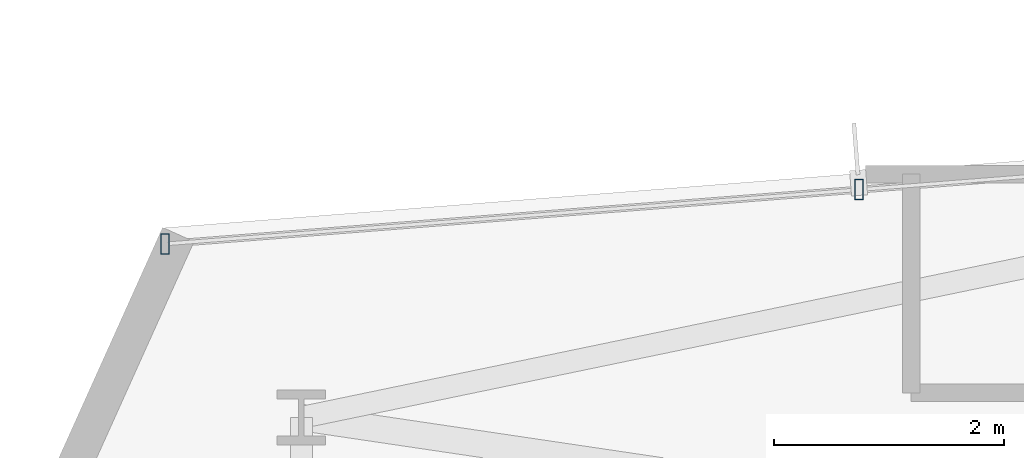
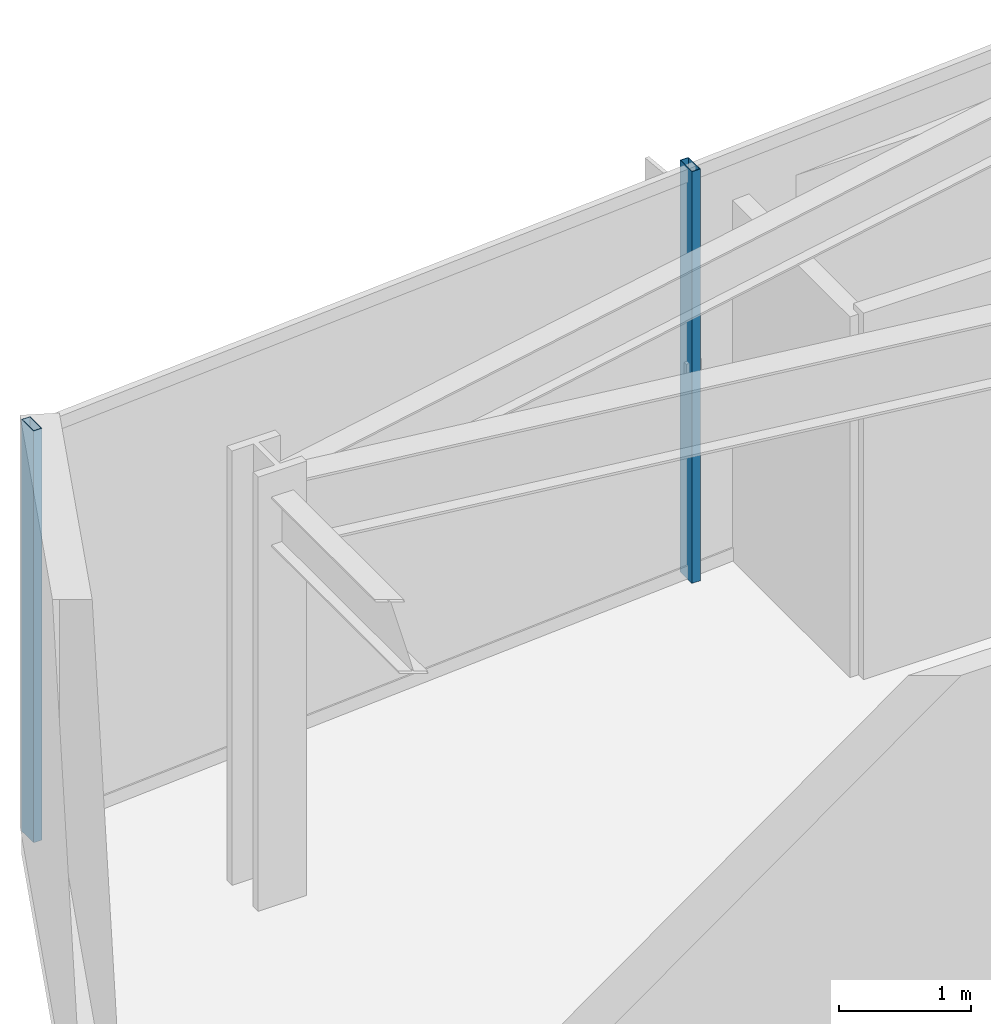
# One storey, part 9 of 30: 2 members, 1 element without a shape of its own.
"""IFC4 building model written with IfcOpenShell, lengths in metres."""

import ifcopenshell
import ifcopenshell.guid

model = None  # the IFC model being written
_history = None  # IfcOwnerHistory: only IFC2X3 demands one
_inside = {}  # id of a spatial element -> (the spatial element, [elements in it])
_under = {}  # id of a project, library or spatial element -> (it, [spatial elements below it])
_declared = {}  # id of a project -> (the project, [libraries it declares])
_typed = {}  # id of a type object -> (the type object, [elements of that type])
_made_of = {}  # id of a material, layer set ... -> (it, [elements and type objects made of it])


def new_model(schema):
    """Start an empty IFC model of exactly this schema.

    Asked for "IFC4X3", IfcOpenShell would pick the latest addendum, in which some entities
    have other attributes; the version numbers below select the first issue.
    IFC2X3 requires an IfcOwnerHistory on every rooted entity: one is made here for all.
    """
    global model, _history
    if schema == "IFC4X3":
        model = ifcopenshell.file(schema_version=(4, 3, 0, 0))
    else:
        model = ifcopenshell.file(schema=schema)
    _inside.clear()
    _under.clear()
    _declared.clear()
    _typed.clear()
    _made_of.clear()
    _history = None
    if model.schema == "IFC2X3":
        org = make("IfcOrganization", Name="unknown")
        user = make(
            "IfcPersonAndOrganization",
            ThePerson=make("IfcPerson", FamilyName="unknown"),
            TheOrganization=org,
        )
        app = make(
            "IfcApplication",
            ApplicationDeveloper=org,
            Version="unknown",
            ApplicationFullName="unknown",
            ApplicationIdentifier="unknown",
        )
        _history = make(
            "IfcOwnerHistory",
            OwningUser=user,
            OwningApplication=app,
            ChangeAction="ADDED",
            CreationDate=0,
        )
    return model


def make(cls, **values):
    """One entity of the class cls with the attributes given. An attribute that is None is left unset."""
    return model.create_entity(
        cls, **{name: value for name, value in values.items() if value is not None}
    )


def rooted(cls, **values):
    """An entity with a GlobalId (a new one), such as an element, a storey or a relation."""
    return make(cls, GlobalId=ifcopenshell.guid.new(), OwnerHistory=_history, **values)


def si_unit(unit_type, name, prefix=None):
    """IfcSIUnit, for example si_unit("LENGTHUNIT", "METRE", prefix="MILLI")."""
    return make("IfcSIUnit", UnitType=unit_type, Prefix=prefix, Name=name)


def assignment(units):
    """IfcUnitAssignment: the units of a project."""
    return None if units is None else make("IfcUnitAssignment", Units=units)


def point(xyz):
    """IfcCartesianPoint."""
    return None if xyz is None else make("IfcCartesianPoint", Coordinates=xyz)


def direction(xyz):
    """IfcDirection."""
    return None if xyz is None else make("IfcDirection", DirectionRatios=xyz)


def frame(location, z_axis=None, x_axis=None):
    """IfcAxis2Placement3D, a coordinate frame: its origin and axes. An axis left out is left unset."""
    return make(
        "IfcAxis2Placement3D",
        Location=point(location),
        Axis=direction(z_axis),
        RefDirection=direction(x_axis),
    )


def frame_2d(location, x_axis=None):
    """IfcAxis2Placement2D, a coordinate frame in the plane: its origin and x axis."""
    return make(
        "IfcAxis2Placement2D", Location=point(location), RefDirection=direction(x_axis)
    )


def origin():
    """The frame at (0, 0, 0) with its axes left unset."""
    return frame((0.0, 0.0, 0.0))


def origin_2d():
    """The frame at (0, 0) in the plane with its x axis left unset."""
    return frame_2d((0.0, 0.0))


def place(relative_to, where):
    """IfcLocalPlacement: puts the frame where relative to a parent placement (None: the world)."""
    return make(
        "IfcLocalPlacement", PlacementRelTo=relative_to, RelativePlacement=where
    )


def context(
    kind, dimensions, precision=None, world=None, true_north=None, identifier=None
):
    """IfcGeometricRepresentationContext, for example the 3D "Model" context."""
    return make(
        "IfcGeometricRepresentationContext",
        ContextIdentifier=identifier,
        ContextType=kind,
        CoordinateSpaceDimension=dimensions,
        Precision=precision,
        WorldCoordinateSystem=world,
        TrueNorth=true_north,
    )


def subcontext(parent, identifier, kind, view, scale=None):
    """IfcGeometricRepresentationSubContext, for example "Body" below "Model"."""
    return make(
        "IfcGeometricRepresentationSubContext",
        ContextIdentifier=identifier,
        ContextType=kind,
        ParentContext=parent,
        TargetScale=scale,
        TargetView=view,
    )


def project(units=None, contexts=None):
    """IfcProject with its units and contexts."""
    return rooted(
        "IfcProject",
        Name="project",
        RepresentationContexts=contexts,
        UnitsInContext=assignment(units),
    )


def spatial(cls, under=None, at=None, **own):
    """A site, building, storey or space (cls), placed at a placement, below another one or the project."""
    s = rooted(cls, ObjectPlacement=at, **own)
    if under is not None:
        _under.setdefault(under.id(), (under, []))[1].append(s)
    return s


def profile(cls, at=None, kind="AREA", **sizes):
    """A parametric profile (cls). Its sizes go by their IFC names, for example OverallWidth=200.0."""
    return make(cls, ProfileType=kind, Position=at, **sizes)


def hollow_rectangle(**sizes):
    """IfcRectangleHollowProfileDef."""
    return profile("IfcRectangleHollowProfileDef", **sizes)


def extrude(swept, where, along, depth):
    """IfcExtrudedAreaSolid: the profile swept, set in the frame where, extruded along a direction by depth."""
    return make(
        "IfcExtrudedAreaSolid",
        SweptArea=swept,
        Position=where,
        ExtrudedDirection=direction(along),
        Depth=depth,
    )


def shape(context_of_items, identifier, shape_type, items):
    """IfcShapeRepresentation: the items that make up one representation, for example the "Body"."""
    return make(
        "IfcShapeRepresentation",
        ContextOfItems=context_of_items,
        RepresentationIdentifier=identifier,
        RepresentationType=shape_type,
        Items=items,
    )


def material(Name=None, Category=None):
    """IfcMaterial."""
    return make("IfcMaterial", Name=Name, Category=Category)


def layer(
    of_material, thickness, ventilated=None, Name=None, Category=None, Priority=None
):
    """IfcMaterialLayer: one layer of a wall or slab, of a material (None: an air gap)."""
    return make(
        "IfcMaterialLayer",
        Material=of_material,
        LayerThickness=thickness,
        IsVentilated=ventilated,
        Name=Name,
        Category=Category,
        Priority=Priority,
    )


def layer_set(layers, Name=None):
    """IfcMaterialLayerSet."""
    return make("IfcMaterialLayerSet", MaterialLayers=layers, LayerSetName=Name)


def material_profile(
    of_material, cross_section, Name=None, Category=None, Priority=None
):
    """IfcMaterialProfile: a cross section and its material."""
    return make(
        "IfcMaterialProfile",
        Name=Name,
        Material=of_material,
        Profile=cross_section,
        Priority=Priority,
        Category=Category,
    )


def profile_set(profiles, Name=None, composite=None):
    """IfcMaterialProfileSet."""
    return make(
        "IfcMaterialProfileSet",
        Name=Name,
        MaterialProfiles=profiles,
        CompositeProfile=composite,
    )


def made_of(thing, what):
    """Note that an element or type object is made of a material, layer set ...; save() writes the relation."""
    if what is not None:
        _made_of.setdefault(what.id(), (what, []))[1].append(thing)
    return thing


def type_object(cls, material=None, **own):
    """A type object (cls), such as IfcWallType, which elements share."""
    return made_of(rooted(cls, **own), material)


def element(
    cls,
    number,
    at=None,
    inside=None,
    cuts=None,
    type_object=None,
    material=None,
    context=None,
    identifier="Body",
    shape_type=None,
    held_by="IfcProductDefinitionShape",
    body=None,
    shapes=None,
    **own,
):
    """One element of the class cls, such as IfcWall. Its Tag is "e" and its number.

    at: its placement. inside: the storey or other place that contains it. cuts: it is an
    opening in that element (IfcRelVoidsElement). A single representation is given by context,
    identifier, shape_type and body (its items); several are given by shapes. held_by: the class
    of the entity that holds the representations. save() writes the other relations.
    """
    e = rooted(cls, Tag="e%d" % number, ObjectPlacement=at, **own)
    if body is not None:
        shapes = [shape(context, identifier, shape_type, body)]
    if shapes is not None:
        e.Representation = make(held_by, Representations=shapes)
    if inside is not None:
        _inside.setdefault(inside.id(), (inside, []))[1].append(e)
    if cuts is not None:
        rooted(
            "IfcRelVoidsElement", RelatingBuildingElement=cuts, RelatedOpeningElement=e
        )
    if type_object is not None:
        _typed.setdefault(type_object.id(), (type_object, []))[1].append(e)
    return made_of(e, material)


def aggregate(whole, parts):
    """IfcRelAggregates: a whole, such as a stair, and the parts it consists of."""
    return rooted("IfcRelAggregates", RelatingObject=whole, RelatedObjects=parts)


def save(model, path):
    """Write the relations noted so far, then the file.

    IfcRelAggregates (storeys below a building ...), IfcRelContainedInSpatialStructure (elements
    in a storey), IfcRelDefinesByType, IfcRelAssociatesMaterial and IfcRelDeclares: one each for
    every whole, place, type object, material and project.
    """
    for whole, parts in _under.values():
        aggregate(whole, parts)
    for where, things in _inside.values():
        rooted(
            "IfcRelContainedInSpatialStructure",
            RelatedElements=things,
            RelatingStructure=where,
        )
    for kind, things in _typed.values():
        rooted("IfcRelDefinesByType", RelatedObjects=things, RelatingType=kind)
    for what, things in _made_of.values():
        rooted("IfcRelAssociatesMaterial", RelatedObjects=things, RelatingMaterial=what)
    for by, libraries in _declared.values():
        rooted("IfcRelDeclares", RelatingContext=by, RelatedDefinitions=libraries)
    model.write(path)


model = new_model("IFC4")

# Units and contexts
model_context = context("Model", 3, precision=1e-05, world=origin(), true_north=direction((0.0, 1.0)))
body_context = subcontext(model_context, "Body", "Model", "MODEL_VIEW")
ifc_project = project(units=[si_unit("LENGTHUNIT", "METRE"), si_unit("AREAUNIT", "SQUARE_METRE"), si_unit("VOLUMEUNIT", "CUBIC_METRE"), si_unit("PLANEANGLEUNIT", "RADIAN"), si_unit("MASSUNIT", "GRAM", prefix="KILO")], contexts=[model_context])

# Site, building, storey
site_placement = place(None, origin())
site = spatial("IfcSite", under=ifc_project, at=site_placement, CompositionType="ELEMENT")
building_placement = place(site_placement, origin())
building = spatial("IfcBuilding", under=site, at=building_placement, Name="Veymaron Broadcast Tower", CompositionType="ELEMENT")
storey_placement = place(building_placement, frame((0.0, 0.0, 66.14990234375)))
storey = spatial("IfcBuildingStorey", under=building, at=storey_placement, Name="L14", CompositionType="ELEMENT", Elevation=66.14990234375)

# Curtain wall, members
ifc_material_1 = material(Name="Anodised aluminium AA 6063-T6 and laminated low-E dark glass", Category="aluminium")
ifc_layer = layer(ifc_material_1, 0.179931640625)
ifc_layer_set = layer_set([ifc_layer], Name="Anodised aluminium AA 6063-T6 and laminated low-E dark glass")
curtain_wall_type = type_object("IfcCurtainWallType", Name="CW-SYS-02", PredefinedType="NOTDEFINED", material=ifc_layer_set)
curtain_wall_placement = place(storey_placement, origin())
curtain_wall = element("IfcCurtainWall", 1, at=curtain_wall_placement, inside=storey, type_object=curtain_wall_type, Name="L14 dark-glass curtain wall CW-L14-E11-1", PredefinedType="NOTDEFINED")
ifc_material_2 = material(Name="Anodised aluminium AA 6063-T6", Category="aluminium")
ifc_material_profile = material_profile(ifc_material_2, hollow_rectangle(XDim=0.074951171875, YDim=0.179931640625, WallThickness=0.0048828125, at=origin_2d()), Name="AL180X75X5")
ifc_profile_set = profile_set([ifc_material_profile], Name="Anodised aluminium AA 6063-T6")
member_type = type_object("IfcMemberType", Name="CW-MUL-02", PredefinedType="MULLION", material=ifc_profile_set)
member_1_placement = place(storey_placement, frame((13.546875, 29.316162109375, 0.0), z_axis=(0.0, 0.0, 1.0), x_axis=(1.0, 0.0, 0.0)))
member_1 = element("IfcMember", 2, at=member_1_placement, type_object=member_type, Name="CW-L14-E11-1 mullion 2", PredefinedType="MULLION", context=body_context, shape_type="SweptSolid", body=[
    extrude(hollow_rectangle(XDim=0.074951171875, YDim=0.179931640625, WallThickness=0.0048828125, at=origin_2d()), origin(), (0.0, 0.0, 1.0), 3.81005859375),
])
member_2_placement = place(storey_placement, frame((7.510986328125, 28.84375, 0.0), z_axis=(0.0, 0.0, 1.0), x_axis=(1.0, 0.0, 0.0)))
member_2 = element("IfcMember", 3, at=member_2_placement, type_object=member_type, Name="CW-L14-E11-1 mullion 3", PredefinedType="MULLION", context=body_context, shape_type="SweptSolid", body=[
    extrude(hollow_rectangle(XDim=0.074951171875, YDim=0.179931640625, WallThickness=0.0048828125, at=origin_2d()), origin(), (0.0, 0.0, 1.0), 3.81005859375),
])
aggregate(curtain_wall, [member_1, member_2])

save(model, "model.ifc")
